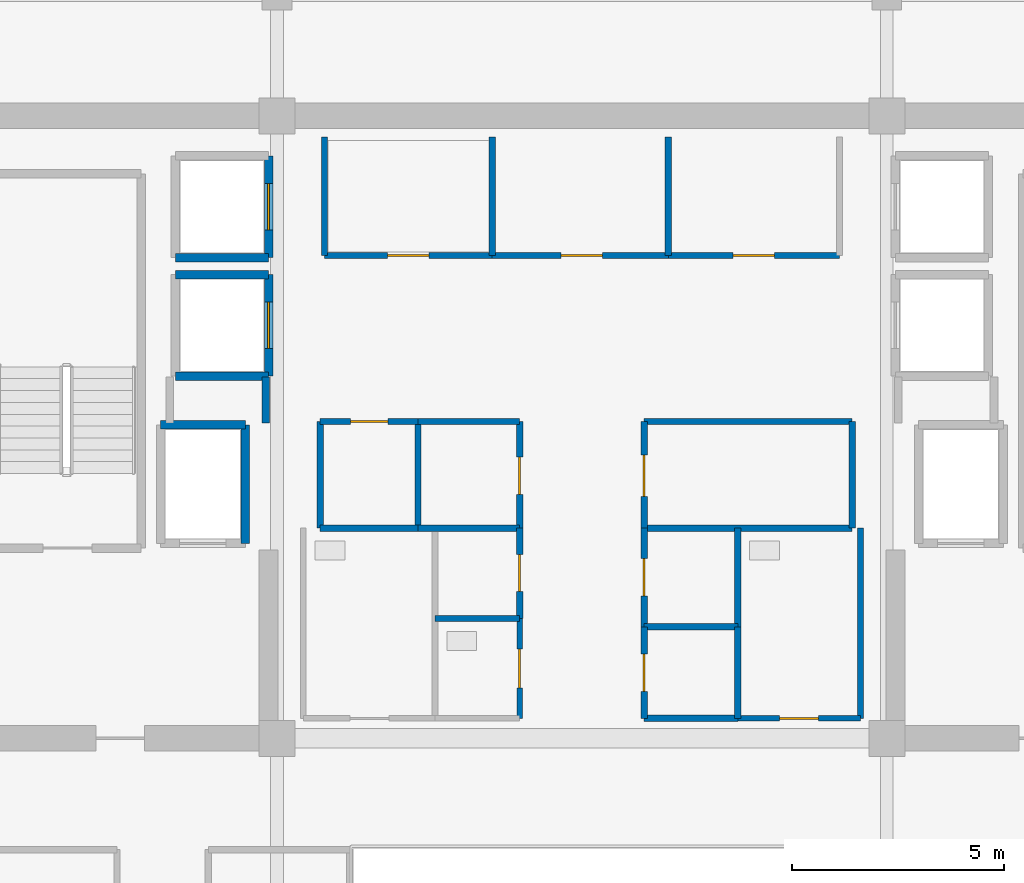
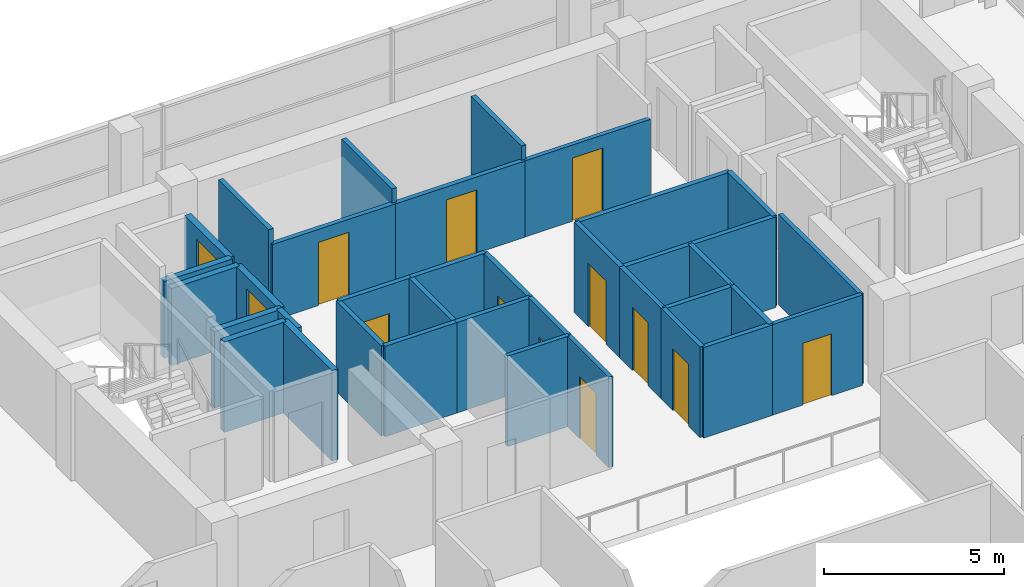
# One storey, part 16 of 22: 36 walls, 13 doors, 13 openings.
"""IFC4 building model written with IfcOpenShell, lengths in metres."""

from ifc_helpers import new_model, si_unit, direction, frame, frame_2d, origin, place, context, subcontext, project, spatial, rectangle, extrude, source, transform, mapped, material, layer, layer_set, type_object, element, fill, save


model = new_model("IFC4")

# Units and contexts
model_context = context("Model", 3, precision=1e-05, world=origin(), true_north=direction((0.0, 1.0)))
body_context = subcontext(model_context, "Body", "Model", "MODEL_VIEW")
ifc_project = project(units=[si_unit("LENGTHUNIT", "METRE"), si_unit("AREAUNIT", "SQUARE_METRE"), si_unit("VOLUMEUNIT", "CUBIC_METRE"), si_unit("PLANEANGLEUNIT", "RADIAN"), si_unit("MASSUNIT", "GRAM", prefix="KILO")], contexts=[model_context])

# Site, building, storey
site_placement = place(None, origin())
site = spatial("IfcSite", under=ifc_project, at=site_placement, CompositionType="ELEMENT")
building_placement = place(site_placement, origin())
building = spatial("IfcBuilding", under=site, at=building_placement, Name="Zarnakvel Exchange Tower", CompositionType="ELEMENT")
storey_placement = place(building_placement, frame((0.0, 0.0, 228.699951171875)))
storey = spatial("IfcBuildingStorey", under=building, at=storey_placement, Name="L64", CompositionType="ELEMENT", Elevation=228.699951171875)

# Wall, opening, door
ifc_material_1 = material(Name="Fire-Rated Gypsum Stud Partition", Category="gypsum")
ifc_layer_1 = layer(ifc_material_1, 0.14990234375)
ifc_layer_set_1 = layer_set([ifc_layer_1], Name="Fire-Rated Gypsum Stud Partition")
wall_type_1 = type_object("IfcWallType", Name="PT-01", PredefinedType="PARTITIONING", material=ifc_layer_set_1)
wall_1_placement = place(storey_placement, frame((-2.1201171875, 10.199951171875, 0.0), z_axis=(0.0, 0.0, 1.0), x_axis=(-1.0, 0.0, 0.0)))
wall_1 = element("IfcWall", 1, at=wall_1_placement, inside=storey, type_object=wall_type_1, Name="L64 Partition Wall PWALL-L64-011 (PT-01)", PredefinedType="PARTITIONING", context=body_context, shape_type="SweptSolid", body=[
    extrude(rectangle(XDim=3.9599609375, YDim=0.14990234375, at=frame_2d((1.97998046875, 0.0))), origin(), (0.0, 0.0, 1.0), 2.590087890625),
])
opening_1_placement = place(wall_1_placement, frame((1.489990234375, 0.0, 0.0)))
opening_1 = element("IfcOpeningElement", 2, at=opening_1_placement, cuts=wall_1, Name="Opening D-L64-05", PredefinedType="OPENING", context=body_context, shape_type="SweptSolid", body=[
    extrude(rectangle(XDim=0.97998046875, YDim=2.14990234375, at=frame_2d((0.489990234375, 1.074951171875))), frame((0.0, 0.0849609375, 0.0), z_axis=(0.0, -1.0, 0.0), x_axis=(1.0, 0.0, 0.0)), (0.0, 0.0, 1.0), 0.169921875),
])
ifc_material_2 = material(Name="Timber Acoustic Veneer", Category="wood")
door_type_1 = type_object("IfcDoorType", Name="DT-05", OperationType="NOTDEFINED", PredefinedType="DOOR", material=ifc_material_2)
shared_shape_1 = source(origin(), body_context, "Body", "SweptSolid", [
    extrude(rectangle(XDim=0.97998046875, YDim=2.14990234375, at=frame_2d((0.489990234375, 1.074951171875))), frame((0.0, 0.02490234375, 0.0), z_axis=(0.0, -1.0, 0.0), x_axis=(1.0, 0.0, 0.0)), (0.0, 0.0, 1.0), 0.050048828125),
])
door_1_placement = place(opening_1_placement, origin())
door_1 = element("IfcDoor", 3, at=door_1_placement, inside=storey, type_object=door_type_1, Name="L64 Clearing Records Office Door D-L64-05", OperationType="SINGLE_SWING_LEFT", OverallHeight=2.14990234375, OverallWidth=0.97998046875, PredefinedType="DOOR", context=body_context, shape_type="MappedRepresentation", body=[
    mapped(shared_shape_1, transform((0.0, 0.0, 0.0), x_axis=(1.0, 0.0, 0.0), y_axis=(0.0, 1.0, 0.0), z_axis=(0.0, 0.0, 1.0), scale=1.0)),
])
fill(opening_1, door_1)

# Walls
for number, where, z_axis, x_axis, name in (
    (4, (-6.080078125, 10.199951171875, 0.0), (0.0, 0.0, 1.0), (0.0, 1.0, 0.0), "L64 Partition Wall PWALL-L64-012 (PT-01)"),
    (5, (-2.1201171875, 13.0, 0.0), (0.0, 0.0, 1.0), (0.0, -1.0, 0.0), "L64 Partition Wall PWALL-L64-013 (PT-01)"),
):
    element("IfcWall", number, at=place(storey_placement, frame(where, z_axis=z_axis, x_axis=x_axis)), inside=storey, type_object=wall_type_1, Name=name, PredefinedType="PARTITIONING", context=body_context, shape_type="SweptSolid", body=[
        extrude(rectangle(XDim=2.800048828125, YDim=0.14990234375, at=frame_2d((1.39990234375, 0.0))), origin(), (0.0, 0.0, 1.0), 3.074951171875),
    ])

# Wall, opening, door
wall_2_placement = place(storey_placement, frame((2.0400390625, 10.199951171875, 0.0), z_axis=(0.0, 0.0, 1.0), x_axis=(-1.0, 0.0, 0.0)))
wall_2 = element("IfcWall", 6, at=wall_2_placement, inside=storey, type_object=wall_type_1, Name="L64 Partition Wall PWALL-L64-014 (PT-01)", PredefinedType="PARTITIONING", context=body_context, shape_type="SweptSolid", body=[
    extrude(rectangle(XDim=4.16015625, YDim=0.14990234375, at=frame_2d((2.080078125, 0.0))), origin(), (0.0, 0.0, 1.0), 2.590087890625),
])
opening_2_placement = place(wall_2_placement, frame((1.550048828125, 0.0, 0.0)))
opening_2 = element("IfcOpeningElement", 7, at=opening_2_placement, cuts=wall_2, Name="Opening D-L64-06", PredefinedType="OPENING", context=body_context, shape_type="SweptSolid", body=[
    extrude(rectangle(XDim=0.97998046875, YDim=2.14990234375, at=frame_2d((0.489990234375, 1.074951171875))), frame((0.0, 0.0849609375, 0.0), z_axis=(0.0, -1.0, 0.0), x_axis=(1.0, 0.0, 0.0)), (0.0, 0.0, 1.0), 0.169921875),
])
door_2_placement = place(opening_2_placement, origin())
door_2 = element("IfcDoor", 8, at=door_2_placement, inside=storey, type_object=door_type_1, Name="L64 Brokerage Filing Room Door D-L64-06", OperationType="SINGLE_SWING_RIGHT", OverallHeight=2.14990234375, OverallWidth=0.97998046875, PredefinedType="DOOR", context=body_context, shape_type="MappedRepresentation", body=[
    mapped(shared_shape_1, transform((0.0, 0.0, 0.0), x_axis=(1.0, 0.0, 0.0), y_axis=(0.0, 1.0, 0.0), z_axis=(0.0, 0.0, 1.0), scale=1.0)),
])
fill(opening_2, door_2)

# Walls
wall_3_placement = place(storey_placement, frame((2.0400390625, 13.0, 0.0), z_axis=(0.0, 0.0, 1.0), x_axis=(0.0, -1.0, 0.0)))
element("IfcWall", 9, at=wall_3_placement, inside=storey, type_object=wall_type_1, Name="L64 Partition Wall PWALL-L64-015 (PT-01)", PredefinedType="PARTITIONING", context=body_context, shape_type="SweptSolid", body=[
    extrude(rectangle(XDim=2.800048828125, YDim=0.14990234375, at=frame_2d((1.39990234375, 0.0))), origin(), (0.0, 0.0, 1.0), 3.074951171875),
])
wall_4_placement = place(storey_placement, frame((-3.8701171875, 3.760009765625, 0.0), z_axis=(0.0, 0.0, 1.0), x_axis=(-1.0, 0.0, 0.0)))
element("IfcWall", 10, at=wall_4_placement, inside=storey, type_object=wall_type_1, Name="L64 Partition Wall PWALL-L64-018 (PT-01)", PredefinedType="PARTITIONING", context=body_context, shape_type="SweptSolid", body=[
    extrude(rectangle(XDim=2.309814453125, YDim=0.14990234375, at=frame_2d((1.15478515625, 0.0))), origin(), (0.0, 0.0, 1.0), 3.074951171875),
])

# Wall, opening, door
wall_5_placement = place(storey_placement, frame((-6.179931640625, 6.280029296875, 0.0), z_axis=(0.0, 0.0, 1.0), x_axis=(1.0, 0.0, 0.0)))
wall_5 = element("IfcWall", 11, at=wall_5_placement, inside=storey, type_object=wall_type_1, Name="L64 Partition Wall PWALL-L64-019 (PT-01)", PredefinedType="PARTITIONING", context=body_context, shape_type="SweptSolid", body=[
    extrude(rectangle(XDim=2.309814453125, YDim=0.14990234375, at=frame_2d((1.15478515625, 0.0))), origin(), (0.0, 0.0, 1.0), 3.074951171875),
])
opening_3_placement = place(wall_5_placement, frame((0.719970703125, 0.0, 0.0)))
opening_3 = element("IfcOpeningElement", 12, at=opening_3_placement, cuts=wall_5, Name="Opening D-L64-08", PredefinedType="OPENING", context=body_context, shape_type="SweptSolid", body=[
    extrude(rectangle(XDim=0.8798828125, YDim=2.10009765625, at=frame_2d((0.43994140625, 1.050048828125))), frame((0.0, 0.0849609375, 0.0), z_axis=(0.0, -1.0, 0.0), x_axis=(1.0, 0.0, 0.0)), (0.0, 0.0, 1.0), 0.169921875),
])
ifc_material_3 = material(Name="Painted Galvanised Steel S355", Category="steel")
door_type_2 = type_object("IfcDoorType", Name="DT-08", OperationType="NOTDEFINED", PredefinedType="DOOR", material=ifc_material_3)
shared_shape_2 = source(origin(), body_context, "Body", "SweptSolid", [
    extrude(rectangle(XDim=0.8798828125, YDim=2.10009765625, at=frame_2d((0.43994140625, 1.050048828125))), frame((0.0, 0.02490234375, 0.0), z_axis=(0.0, -1.0, 0.0), x_axis=(1.0, 0.0, 0.0)), (0.0, 0.0, 1.0), 0.050048828125),
])
door_3_placement = place(opening_3_placement, origin())
door_3 = element("IfcDoor", 13, at=door_3_placement, inside=storey, type_object=door_type_2, Name="L64 Audit Filing Store Door D-L64-08", OperationType="SINGLE_SWING_RIGHT", OverallHeight=2.10009765625, OverallWidth=0.8798828125, PredefinedType="DOOR", context=body_context, shape_type="MappedRepresentation", body=[
    mapped(shared_shape_2, transform((0.0, 0.0, 0.0), x_axis=(1.0, 0.0, 0.0), y_axis=(0.0, 1.0, 0.0), z_axis=(0.0, 0.0, 1.0), scale=1.0)),
])
fill(opening_3, door_3)

# Walls
for number, where, z_axis, x_axis, name in (
    (14, (-6.179931640625, 3.760009765625, 0.0), (0.0, 0.0, 1.0), (0.0, 1.0, 0.0), "L64 Partition Wall PWALL-L64-020 (PT-01)"),
    (15, (-3.8701171875, 6.280029296875, 0.0), (0.0, 0.0, 1.0), (0.0, -1.0, 0.0), "L64 Partition Wall PWALL-L64-021 (PT-01)"),
):
    element("IfcWall", number, at=place(storey_placement, frame(where, z_axis=z_axis, x_axis=x_axis)), inside=storey, type_object=wall_type_1, Name=name, PredefinedType="PARTITIONING", context=body_context, shape_type="SweptSolid", body=[
        extrude(rectangle(XDim=2.52001953125, YDim=0.14990234375, at=frame_2d((1.260009765625, 0.0))), origin(), (0.0, 0.0, 1.0), 3.074951171875),
    ])
for number, where, z_axis, x_axis, name in (
    (16, (-1.469970703125, 3.760009765625, 0.0), (0.0, 0.0, 1.0), (-1.0, 0.0, 0.0), "L64 Partition Wall PWALL-L64-022 (PT-01)"),
    (17, (-3.8701171875, 6.280029296875, 0.0), (0.0, 0.0, 1.0), (1.0, 0.0, 0.0), "L64 Partition Wall PWALL-L64-023 (PT-01)"),
):
    element("IfcWall", number, at=place(storey_placement, frame(where, z_axis=z_axis, x_axis=x_axis)), inside=storey, type_object=wall_type_1, Name=name, PredefinedType="PARTITIONING", context=body_context, shape_type="SweptSolid", body=[
        extrude(rectangle(XDim=2.400146484375, YDim=0.14990234375, at=frame_2d((1.2001953125, 0.0))), origin(), (0.0, 0.0, 1.0), 3.074951171875),
    ])

# Wall, opening, door
wall_6_placement = place(storey_placement, frame((-1.469970703125, 6.280029296875, 0.0), z_axis=(0.0, 0.0, 1.0), x_axis=(0.0, -1.0, 0.0)))
wall_6 = element("IfcWall", 18, at=wall_6_placement, inside=storey, type_object=wall_type_1, Name="L64 Partition Wall PWALL-L64-024 (PT-01)", PredefinedType="PARTITIONING", context=body_context, shape_type="SweptSolid", body=[
    extrude(rectangle(XDim=2.52001953125, YDim=0.14990234375, at=frame_2d((1.260009765625, 0.0))), origin(), (0.0, 0.0, 1.0), 3.074951171875),
])
opening_4_placement = place(wall_6_placement, frame((0.840087890625, 0.0, 0.0)))
opening_4 = element("IfcOpeningElement", 19, at=opening_4_placement, cuts=wall_6, Name="Opening D-L64-09", PredefinedType="OPENING", context=body_context, shape_type="SweptSolid", body=[
    extrude(rectangle(XDim=0.8798828125, YDim=2.10009765625, at=frame_2d((0.43994140625, 1.050048828125))), frame((0.0, 0.0849609375, 0.0), z_axis=(0.0, -1.0, 0.0), x_axis=(1.0, 0.0, 0.0)), (0.0, 0.0, 1.0), 0.169921875),
])
door_4_placement = place(opening_4_placement, origin())
door_4 = element("IfcDoor", 20, at=door_4_placement, inside=storey, type_object=door_type_2, Name="L64 Core Records Store Door D-L64-09", OperationType="SINGLE_SWING_LEFT", OverallHeight=2.10009765625, OverallWidth=0.8798828125, PredefinedType="DOOR", context=body_context, shape_type="MappedRepresentation", body=[
    mapped(shared_shape_2, transform((0.0, 0.0, 0.0), x_axis=(1.0, 0.0, 0.0), y_axis=(0.0, 1.0, 0.0), z_axis=(0.0, 0.0, 1.0), scale=1.0)),
])
fill(opening_4, door_4)

# Walls
for number, where, z_axis, x_axis, name in (
    (21, (6.3798828125, 3.760009765625, 0.0), (0.0, 0.0, 1.0), (-1.0, 0.0, 0.0), "L64 Partition Wall PWALL-L64-025 (PT-01)"),
    (22, (1.469970703125, 6.280029296875, 0.0), (0.0, 0.0, 1.0), (1.0, 0.0, 0.0), "L64 Partition Wall PWALL-L64-026 (PT-01)"),
):
    element("IfcWall", number, at=place(storey_placement, frame(where, z_axis=z_axis, x_axis=x_axis)), inside=storey, type_object=wall_type_1, Name=name, PredefinedType="PARTITIONING", context=body_context, shape_type="SweptSolid", body=[
        extrude(rectangle(XDim=4.909912109375, YDim=0.14990234375, at=frame_2d((2.455078125, 0.0))), origin(), (0.0, 0.0, 1.0), 3.074951171875),
    ])

# Wall, opening, door
wall_7_placement = place(storey_placement, frame((1.469970703125, 3.760009765625, 0.0), z_axis=(0.0, 0.0, 1.0), x_axis=(0.0, 1.0, 0.0)))
wall_7 = element("IfcWall", 23, at=wall_7_placement, inside=storey, type_object=wall_type_1, Name="L64 Partition Wall PWALL-L64-027 (PT-01)", PredefinedType="PARTITIONING", context=body_context, shape_type="SweptSolid", body=[
    extrude(rectangle(XDim=2.52001953125, YDim=0.14990234375, at=frame_2d((1.260009765625, 0.0))), origin(), (0.0, 0.0, 1.0), 3.074951171875),
])
opening_5_placement = place(wall_7_placement, frame((0.75, 0.0, 0.0)))
opening_5 = element("IfcOpeningElement", 24, at=opening_5_placement, cuts=wall_7, Name="Opening D-L64-10", PredefinedType="OPENING", context=body_context, shape_type="SweptSolid", body=[
    extrude(rectangle(XDim=0.97998046875, YDim=2.14990234375, at=frame_2d((0.489990234375, 1.074951171875))), frame((0.0, 0.0849609375, 0.0), z_axis=(0.0, -1.0, 0.0), x_axis=(1.0, 0.0, 0.0)), (0.0, 0.0, 1.0), 0.169921875),
])
door_5_placement = place(opening_5_placement, origin())
door_5 = element("IfcDoor", 25, at=door_5_placement, inside=storey, type_object=door_type_1, Name="L64 Telemetry Server Suite Door D-L64-10", OperationType="SINGLE_SWING_RIGHT", OverallHeight=2.14990234375, OverallWidth=0.97998046875, PredefinedType="DOOR", context=body_context, shape_type="MappedRepresentation", body=[
    mapped(shared_shape_1, transform((0.0, 0.0, 0.0), x_axis=(1.0, 0.0, 0.0), y_axis=(0.0, 1.0, 0.0), z_axis=(0.0, 0.0, 1.0), scale=1.0)),
])
fill(opening_5, door_5)

# Wall
wall_8_placement = place(storey_placement, frame((6.3798828125, 6.280029296875, 0.0), z_axis=(0.0, 0.0, 1.0), x_axis=(0.0, -1.0, 0.0)))
element("IfcWall", 26, at=wall_8_placement, inside=storey, type_object=wall_type_1, Name="L64 Partition Wall PWALL-L64-028 (PT-01)", PredefinedType="PARTITIONING", context=body_context, shape_type="SweptSolid", body=[
    extrude(rectangle(XDim=2.52001953125, YDim=0.14990234375, at=frame_2d((1.260009765625, 0.0))), origin(), (0.0, 0.0, 1.0), 3.074951171875),
])

# Wall, opening, door
wall_9_placement = place(storey_placement, frame((-1.469970703125, 3.760009765625, 0.0), z_axis=(0.0, 0.0, 1.0), x_axis=(0.0, -1.0, 0.0)))
wall_9 = element("IfcWall", 27, at=wall_9_placement, inside=storey, type_object=wall_type_1, Name="L64 Partition Wall PWALL-L64-035 (PT-01)", PredefinedType="PARTITIONING", context=body_context, shape_type="SweptSolid", body=[
    extrude(rectangle(XDim=2.130126953125, YDim=0.14990234375, at=frame_2d((1.06494140625, 0.0))), origin(), (0.0, 0.0, 1.0), 3.074951171875),
])
opening_6_placement = place(wall_9_placement, frame((0.6201171875, 0.0, 0.0)))
opening_6 = element("IfcOpeningElement", 28, at=opening_6_placement, cuts=wall_9, Name="Opening D-L64-13", PredefinedType="OPENING", context=body_context, shape_type="SweptSolid", body=[
    extrude(rectangle(XDim=0.8798828125, YDim=2.10009765625, at=frame_2d((0.43994140625, 1.050048828125))), frame((0.0, 0.0849609375, 0.0), z_axis=(0.0, -1.0, 0.0), x_axis=(1.0, 0.0, 0.0)), (0.0, 0.0, 1.0), 0.169921875),
])
door_6_placement = place(opening_6_placement, origin())
door_6 = element("IfcDoor", 29, at=door_6_placement, inside=storey, type_object=door_type_2, Name="L64 Core Comms Room Door D-L64-13", OperationType="SINGLE_SWING_LEFT", OverallHeight=2.10009765625, OverallWidth=0.8798828125, PredefinedType="DOOR", context=body_context, shape_type="MappedRepresentation", body=[
    mapped(shared_shape_2, transform((0.0, 0.0, 0.0), x_axis=(1.0, 0.0, 0.0), y_axis=(0.0, 1.0, 0.0), z_axis=(0.0, 0.0, 1.0), scale=1.0)),
])
fill(opening_6, door_6)

# Walls
for number, where, z_axis, x_axis, name in (
    (30, (3.679931640625, -0.72998046875, 0.0), (0.0, 0.0, 1.0), (-1.0, 0.0, 0.0), "L64 Partition Wall PWALL-L64-036 (PT-01)"),
    (31, (1.469970703125, 1.429931640625, 0.0), (0.0, 0.0, 1.0), (1.0, 0.0, 0.0), "L64 Partition Wall PWALL-L64-037 (PT-01)"),
):
    element("IfcWall", number, at=place(storey_placement, frame(where, z_axis=z_axis, x_axis=x_axis)), inside=storey, type_object=wall_type_1, Name=name, PredefinedType="PARTITIONING", context=body_context, shape_type="SweptSolid", body=[
        extrude(rectangle(XDim=2.2099609375, YDim=0.14990234375, at=frame_2d((1.10498046875, 0.0))), origin(), (0.0, 0.0, 1.0), 3.074951171875),
    ])

# Wall, opening, door
wall_10_placement = place(storey_placement, frame((1.469970703125, -0.72998046875, 0.0), z_axis=(0.0, 0.0, 1.0), x_axis=(0.0, 1.0, 0.0)))
wall_10 = element("IfcWall", 32, at=wall_10_placement, inside=storey, type_object=wall_type_1, Name="L64 Partition Wall PWALL-L64-038 (PT-01)", PredefinedType="PARTITIONING", context=body_context, shape_type="SweptSolid", body=[
    extrude(rectangle(XDim=2.159912109375, YDim=0.14990234375, at=frame_2d((1.080078125, 0.0))), origin(), (0.0, 0.0, 1.0), 3.074951171875),
])
opening_7_placement = place(wall_10_placement, frame((0.639892578125, 0.0, 0.0)))
opening_7 = element("IfcOpeningElement", 33, at=opening_7_placement, cuts=wall_10, Name="Opening D-L64-14", PredefinedType="OPENING", context=body_context, shape_type="SweptSolid", body=[
    extrude(rectangle(XDim=0.8798828125, YDim=2.10009765625, at=frame_2d((0.43994140625, 1.050048828125))), frame((0.0, 0.0849609375, 0.0), z_axis=(0.0, -1.0, 0.0), x_axis=(1.0, 0.0, 0.0)), (0.0, 0.0, 1.0), 0.169921875),
])
door_7_placement = place(opening_7_placement, origin())
door_7 = element("IfcDoor", 34, at=door_7_placement, inside=storey, type_object=door_type_2, Name="L64 Janitor Store Door D-L64-14", OperationType="SINGLE_SWING_RIGHT", OverallHeight=2.10009765625, OverallWidth=0.8798828125, PredefinedType="DOOR", context=body_context, shape_type="MappedRepresentation", body=[
    mapped(shared_shape_2, transform((0.0, 0.0, 0.0), x_axis=(1.0, 0.0, 0.0), y_axis=(0.0, 1.0, 0.0), z_axis=(0.0, 0.0, 1.0), scale=1.0)),
])
fill(opening_7, door_7)

# Wall
wall_11_placement = place(storey_placement, frame((3.679931640625, 1.429931640625, 0.0), z_axis=(0.0, 0.0, 1.0), x_axis=(0.0, -1.0, 0.0)))
element("IfcWall", 35, at=wall_11_placement, inside=storey, type_object=wall_type_1, Name="L64 Partition Wall PWALL-L64-039 (PT-01)", PredefinedType="PARTITIONING", context=body_context, shape_type="SweptSolid", body=[
    extrude(rectangle(XDim=2.159912109375, YDim=0.14990234375, at=frame_2d((1.080078125, 0.0))), origin(), (0.0, 0.0, 1.0), 3.074951171875),
])

# Wall, opening, door
wall_12_placement = place(storey_placement, frame((1.469970703125, 1.429931640625, 0.0), z_axis=(0.0, 0.0, 1.0), x_axis=(0.0, 1.0, 0.0)))
wall_12 = element("IfcWall", 36, at=wall_12_placement, inside=storey, type_object=wall_type_1, Name="L64 Partition Wall PWALL-L64-040 (PT-01)", PredefinedType="PARTITIONING", context=body_context, shape_type="SweptSolid", body=[
    extrude(rectangle(XDim=2.330078125, YDim=0.14990234375, at=frame_2d((1.1650390625, 0.0))), origin(), (0.0, 0.0, 1.0), 3.074951171875),
])
opening_8_placement = place(wall_12_placement, frame((0.72998046875, 0.0, 0.0)))
opening_8 = element("IfcOpeningElement", 37, at=opening_8_placement, cuts=wall_12, Name="Opening D-L64-15", PredefinedType="OPENING", context=body_context, shape_type="SweptSolid", body=[
    extrude(rectangle(XDim=0.8798828125, YDim=2.14990234375, at=frame_2d((0.43994140625, 1.074951171875))), frame((0.0, 0.0849609375, 0.0), z_axis=(0.0, -1.0, 0.0), x_axis=(1.0, 0.0, 0.0)), (0.0, 0.0, 1.0), 0.169921875),
])
shared_shape_3 = source(origin(), body_context, "Body", "SweptSolid", [
    extrude(rectangle(XDim=0.8798828125, YDim=2.14990234375, at=frame_2d((0.43994140625, 1.074951171875))), frame((0.0, 0.02490234375, 0.0), z_axis=(0.0, -1.0, 0.0), x_axis=(1.0, 0.0, 0.0)), (0.0, 0.0, 1.0), 0.050048828125),
])
door_8_placement = place(opening_8_placement, origin())
door_8 = element("IfcDoor", 38, at=door_8_placement, inside=storey, type_object=door_type_1, Name="L64 Stationery Store Door D-L64-15", OperationType="SINGLE_SWING_LEFT", OverallHeight=2.14990234375, OverallWidth=0.8798828125, PredefinedType="DOOR", context=body_context, shape_type="MappedRepresentation", body=[
    mapped(shared_shape_3, transform((0.0, 0.0, 0.0), x_axis=(1.0, 0.0, 0.0), y_axis=(0.0, 1.0, 0.0), z_axis=(0.0, 0.0, 1.0), scale=1.0)),
])
fill(opening_8, door_8)

# Walls
wall_13_placement = place(storey_placement, frame((3.679931640625, 3.760009765625, 0.0), z_axis=(0.0, 0.0, 1.0), x_axis=(0.0, -1.0, 0.0)))
element("IfcWall", 39, at=wall_13_placement, inside=storey, type_object=wall_type_1, Name="L64 Partition Wall PWALL-L64-041 (PT-01)", PredefinedType="PARTITIONING", context=body_context, shape_type="SweptSolid", body=[
    extrude(rectangle(XDim=2.330078125, YDim=0.14990234375, at=frame_2d((1.1650390625, 0.0))), origin(), (0.0, 0.0, 1.0), 3.074951171875),
])
ifc_layer_2 = layer(ifc_material_1, 0.179931640625)
ifc_layer_set_2 = layer_set([ifc_layer_2], Name="Fire-Rated Gypsum Stud Partition")
wall_type_2 = type_object("IfcWallType", Name="PT-02", PredefinedType="PARTITIONING", material=ifc_layer_set_2)
wall_14_placement = place(storey_placement, frame((-7.469970703125, 7.330078125, 0.0), z_axis=(0.0, 0.0, 1.0), x_axis=(0.0, -1.0, 0.0)))
element("IfcWall", 40, at=wall_14_placement, inside=storey, type_object=wall_type_2, Name="L64 Partition Wall PWALL-L64-008 (PT-02)", PredefinedType="PARTITIONING", context=body_context, shape_type="SweptSolid", body=[
    extrude(rectangle(XDim=1.090087890625, YDim=0.179931640625, at=frame_2d((0.544921875, 0.0))), origin(), (0.0, 0.0, 1.0), 2.614990234375),
])

# Wall, opening, door
ifc_material_4 = material(Name="Moisture-Resistant Tile-Faced Partition", Category="gypsum")
ifc_layer_3 = layer(ifc_material_4, 0.135009765625)
ifc_layer_set_3 = layer_set([ifc_layer_3], Name="Moisture-Resistant Tile-Faced Partition")
wall_type_3 = type_object("IfcWallType", Name="PT-03", PredefinedType="PARTITIONING", material=ifc_layer_set_3)
wall_15_placement = place(storey_placement, frame((6.080078125, 10.199951171875, 0.0), z_axis=(0.0, 0.0, 1.0), x_axis=(-1.0, 0.0, 0.0)))
wall_15 = element("IfcWall", 41, at=wall_15_placement, inside=storey, type_object=wall_type_3, Name="L64 Partition Wall PWALL-L64-016 (PT-03)", PredefinedType="PARTITIONING", context=body_context, shape_type="SweptSolid", body=[
    extrude(rectangle(XDim=4.0400390625, YDim=0.135009765625, at=frame_2d((2.02001953125, 0.0))), origin(), (0.0, 0.0, 1.0), 2.590087890625),
])
opening_9_placement = place(wall_15_placement, frame((1.530029296875, 0.0, 0.0)))
opening_9 = element("IfcOpeningElement", 42, at=opening_9_placement, cuts=wall_15, Name="Opening D-L64-07", PredefinedType="OPENING", context=body_context, shape_type="SweptSolid", body=[
    extrude(rectangle(XDim=0.97998046875, YDim=2.14990234375, at=frame_2d((0.489990234375, 1.074951171875))), frame((0.0, 0.077392578125, 0.0), z_axis=(0.0, -1.0, 0.0), x_axis=(1.0, 0.0, 0.0)), (0.0, 0.0, 1.0), 0.155029296875),
])
door_9_placement = place(opening_9_placement, origin())
door_9 = element("IfcDoor", 43, at=door_9_placement, inside=storey, type_object=door_type_1, Name="L64 Executive Tea Pantry Door D-L64-07", OperationType="SINGLE_SWING_LEFT", OverallHeight=2.14990234375, OverallWidth=0.97998046875, PredefinedType="DOOR", context=body_context, shape_type="MappedRepresentation", body=[
    mapped(shared_shape_1, transform((0.0, 0.0, 0.0), x_axis=(1.0, 0.0, 0.0), y_axis=(0.0, 1.0, 0.0), z_axis=(0.0, 0.0, 1.0), scale=1.0)),
])
fill(opening_9, door_9)

# Wall
wall_16_placement = place(storey_placement, frame((-3.469970703125, 1.6298828125, 0.0), z_axis=(0.0, 0.0, 1.0), x_axis=(1.0, 0.0, 0.0)))
element("IfcWall", 44, at=wall_16_placement, inside=storey, type_object=wall_type_3, Name="L64 Partition Wall PWALL-L64-033 (PT-03)", PredefinedType="PARTITIONING", context=body_context, shape_type="SweptSolid", body=[
    extrude(rectangle(XDim=2.0, YDim=0.135009765625, at=frame_2d((1.0, 0.0))), origin(), (0.0, 0.0, 1.0), 3.074951171875),
])

# Wall, opening, door
wall_17_placement = place(storey_placement, frame((-1.469970703125, 1.6298828125, 0.0), z_axis=(0.0, 0.0, 1.0), x_axis=(0.0, -1.0, 0.0)))
wall_17 = element("IfcWall", 45, at=wall_17_placement, inside=storey, type_object=wall_type_3, Name="L64 Partition Wall PWALL-L64-034 (PT-03)", PredefinedType="PARTITIONING", context=body_context, shape_type="SweptSolid", body=[
    extrude(rectangle(XDim=2.35986328125, YDim=0.135009765625, at=frame_2d((1.179931640625, 0.0))), origin(), (0.0, 0.0, 1.0), 3.074951171875),
])
opening_10_placement = place(wall_17_placement, frame((0.719970703125, 0.0, 0.0)))
opening_10 = element("IfcOpeningElement", 46, at=opening_10_placement, cuts=wall_17, Name="Opening D-L64-12", PredefinedType="OPENING", context=body_context, shape_type="SweptSolid", body=[
    extrude(rectangle(XDim=0.919921875, YDim=2.10009765625, at=frame_2d((0.4599609375, 1.050048828125))), frame((0.0, 0.077392578125, 0.0), z_axis=(0.0, -1.0, 0.0), x_axis=(1.0, 0.0, 0.0)), (0.0, 0.0, 1.0), 0.155029296875),
])
ifc_material_5 = material(Name="Moisture-Resistant Laminate Timber", Category="wood")
door_type_3 = type_object("IfcDoorType", Name="DT-07", OperationType="NOTDEFINED", PredefinedType="DOOR", material=ifc_material_5)
shared_shape_4 = source(origin(), body_context, "Body", "SweptSolid", [
    extrude(rectangle(XDim=0.919921875, YDim=2.10009765625, at=frame_2d((0.4599609375, 1.050048828125))), frame((0.0, 0.02490234375, 0.0), z_axis=(0.0, -1.0, 0.0), x_axis=(1.0, 0.0, 0.0)), (0.0, 0.0, 1.0), 0.050048828125),
])
door_10_placement = place(opening_10_placement, origin())
door_10 = element("IfcDoor", 47, at=door_10_placement, inside=storey, type_object=door_type_3, Name="L64 Accessible Toilet Door D-L64-12", OperationType="SINGLE_SWING_RIGHT", OverallHeight=2.10009765625, OverallWidth=0.919921875, PredefinedType="DOOR", context=body_context, shape_type="MappedRepresentation", body=[
    mapped(shared_shape_4, transform((0.0, 0.0, 0.0), x_axis=(1.0, 0.0, 0.0), y_axis=(0.0, 1.0, 0.0), z_axis=(0.0, 0.0, 1.0), scale=1.0)),
])
fill(opening_10, door_10)

wall_18_placement = place(storey_placement, frame((6.580078125, -0.72998046875, 0.0), z_axis=(0.0, 0.0, 1.0), x_axis=(-1.0, 0.0, 0.0)))
wall_18 = element("IfcWall", 48, at=wall_18_placement, inside=storey, type_object=wall_type_3, Name="L64 Partition Wall PWALL-L64-042 (PT-03)", PredefinedType="PARTITIONING", context=body_context, shape_type="SweptSolid", body=[
    extrude(rectangle(XDim=2.900146484375, YDim=0.135009765625, at=frame_2d((1.4501953125, 0.0))), origin(), (0.0, 0.0, 1.0), 3.074951171875),
])
opening_11_placement = place(wall_18_placement, frame((0.989990234375, 0.0, 0.0)))
opening_11 = element("IfcOpeningElement", 49, at=opening_11_placement, cuts=wall_18, Name="Opening D-L64-16", PredefinedType="OPENING", context=body_context, shape_type="SweptSolid", body=[
    extrude(rectangle(XDim=0.919921875, YDim=2.10009765625, at=frame_2d((0.4599609375, 1.050048828125))), frame((0.0, 0.077392578125, 0.0), z_axis=(0.0, -1.0, 0.0), x_axis=(1.0, 0.0, 0.0)), (0.0, 0.0, 1.0), 0.155029296875),
])
door_11_placement = place(opening_11_placement, origin())
door_11 = element("IfcDoor", 50, at=door_11_placement, inside=storey, type_object=door_type_3, Name="L64 Female Toilet Door D-L64-16", OperationType="SINGLE_SWING_RIGHT", OverallHeight=2.10009765625, OverallWidth=0.919921875, PredefinedType="DOOR", context=body_context, shape_type="MappedRepresentation", body=[
    mapped(shared_shape_4, transform((0.0, 0.0, 0.0), x_axis=(1.0, 0.0, 0.0), y_axis=(0.0, 1.0, 0.0), z_axis=(0.0, 0.0, 1.0), scale=1.0)),
])
fill(opening_11, door_11)

# Walls
wall_19_placement = place(storey_placement, frame((6.580078125, 3.760009765625, 0.0), z_axis=(0.0, 0.0, 1.0), x_axis=(0.0, -1.0, 0.0)))
element("IfcWall", 51, at=wall_19_placement, inside=storey, type_object=wall_type_3, Name="L64 Partition Wall PWALL-L64-043 (PT-03)", PredefinedType="PARTITIONING", context=body_context, shape_type="SweptSolid", body=[
    extrude(rectangle(XDim=4.489990234375, YDim=0.135009765625, at=frame_2d((2.2451171875, 0.0))), origin(), (0.0, 0.0, 1.0), 3.074951171875),
])
ifc_material_6 = material(Name="Concrete C40/50", Category="concrete")
ifc_layer_4 = layer(ifc_material_6, 0.199951171875)
ifc_layer_set_4 = layer_set([ifc_layer_4], Name="Concrete C40/50")
wall_type_4 = type_object("IfcWallType", Name="SW-01", PredefinedType="SOLIDWALL", material=ifc_layer_set_4)
wall_20_placement = place(storey_placement, frame((-9.949951171875, 6.199951171875, 0.0), z_axis=(0.0, 0.0, 1.0), x_axis=(1.0, 0.0, 0.0)))
element("IfcWall", 52, at=wall_20_placement, inside=storey, type_object=wall_type_4, Name="L64 FL-01 Hoistway Wall North", PredefinedType="SOLIDWALL", context=body_context, shape_type="SweptSolid", body=[
    extrude(rectangle(XDim=2.0, YDim=0.199951171875, at=frame_2d((1.0, 0.0))), origin(), (0.0, 0.0, 1.0), 3.074951171875),
])
wall_21_placement = place(storey_placement, frame((-7.949951171875, 6.199951171875, 0.0), z_axis=(0.0, 0.0, 1.0), x_axis=(0.0, -1.0, 0.0)))
element("IfcWall", 53, at=wall_21_placement, inside=storey, type_object=wall_type_4, Name="L64 FL-01 Hoistway Wall East", PredefinedType="SOLIDWALL", context=body_context, shape_type="SweptSolid", body=[
    extrude(rectangle(XDim=2.800048828125, YDim=0.199951171875, at=frame_2d((1.39990234375, 0.0))), origin(), (0.0, 0.0, 1.0), 3.074951171875),
])
for number, where, z_axis, x_axis, name in (
    (54, (-7.39990234375, 7.35009765625, 0.0), (0.0, 0.0, 1.0), (-1.0, 0.0, 0.0), "L64 PL-09 Hoistway Wall South"),
    (55, (-9.60009765625, 9.75, 0.0), (0.0, 0.0, 1.0), (1.0, 0.0, 0.0), "L64 PL-09 Hoistway Wall North"),
):
    element("IfcWall", number, at=place(storey_placement, frame(where, z_axis=z_axis, x_axis=x_axis)), inside=storey, type_object=wall_type_4, Name=name, PredefinedType="SOLIDWALL", context=body_context, shape_type="SweptSolid", body=[
        extrude(rectangle(XDim=2.2001953125, YDim=0.199951171875, at=frame_2d((1.10009765625, 0.0))), origin(), (0.0, 0.0, 1.0), 2.614990234375),
    ])

# Wall, opening, door
wall_22_placement = place(storey_placement, frame((-7.39990234375, 9.75, 0.0), z_axis=(0.0, 0.0, 1.0), x_axis=(0.0, -1.0, 0.0)))
wall_22 = element("IfcWall", 56, at=wall_22_placement, inside=storey, type_object=wall_type_4, Name="L64 PL-09 Hoistway Wall East", PredefinedType="SOLIDWALL", context=body_context, shape_type="SweptSolid", body=[
    extrude(rectangle(XDim=2.39990234375, YDim=0.199951171875, at=frame_2d((1.199951171875, 0.0))), origin(), (0.0, 0.0, 1.0), 2.614990234375),
])
opening_12_placement = place(wall_22_placement, frame((0.64990234375, 0.0, 0.0)))
opening_12 = element("IfcOpeningElement", 57, at=opening_12_placement, cuts=wall_22, Name="Opening LD-PL-09-L64", PredefinedType="OPENING", context=body_context, shape_type="SweptSolid", body=[
    extrude(rectangle(XDim=1.10009765625, YDim=2.199951171875, at=frame_2d((0.550048828125, 1.10009765625))), frame((0.0, 0.10986328125, 0.0), z_axis=(0.0, -1.0, 0.0), x_axis=(1.0, 0.0, 0.0)), (0.0, 0.0, 1.0), 0.219970703125),
])
ifc_material_7 = material(Name="Architectural Bronze Anodised Aluminium", Category="aluminium")
door_type_4 = type_object("IfcDoorType", Name="LDT-02", OperationType="NOTDEFINED", PredefinedType="DOOR", material=ifc_material_7)
shared_shape_5 = source(origin(), body_context, "Body", "SweptSolid", [
    extrude(rectangle(XDim=1.10009765625, YDim=2.199951171875, at=frame_2d((0.550048828125, 1.10009765625))), frame((0.0, 0.02490234375, 0.0), z_axis=(0.0, -1.0, 0.0), x_axis=(1.0, 0.0, 0.0)), (0.0, 0.0, 1.0), 0.050048828125),
])
door_12_placement = place(opening_12_placement, origin())
door_12 = element("IfcDoor", 58, at=door_12_placement, inside=storey, type_object=door_type_4, Name="L64 PL-09 Lift Landing Door LD-PL-09-L64", OperationType="DOUBLE_DOOR_SLIDING", OverallHeight=2.199951171875, OverallWidth=1.10009765625, PredefinedType="DOOR", context=body_context, shape_type="MappedRepresentation", body=[
    mapped(shared_shape_5, transform((0.0, 0.0, 0.0), x_axis=(1.0, 0.0, 0.0), y_axis=(0.0, 1.0, 0.0), z_axis=(0.0, 0.0, 1.0), scale=1.0)),
])
fill(opening_12, door_12)

# Wall
wall_23_placement = place(storey_placement, frame((-7.39990234375, 10.14990234375, 0.0), z_axis=(0.0, 0.0, 1.0), x_axis=(-1.0, 0.0, 0.0)))
element("IfcWall", 59, at=wall_23_placement, inside=storey, type_object=wall_type_4, Name="L64 PL-10 Hoistway Wall South", PredefinedType="SOLIDWALL", context=body_context, shape_type="SweptSolid", body=[
    extrude(rectangle(XDim=2.2001953125, YDim=0.199951171875, at=frame_2d((1.10009765625, 0.0))), origin(), (0.0, 0.0, 1.0), 2.614990234375),
])

# Wall, opening, door
wall_24_placement = place(storey_placement, frame((-7.39990234375, 12.550048828125, 0.0), z_axis=(0.0, 0.0, 1.0), x_axis=(0.0, -1.0, 0.0)))
wall_24 = element("IfcWall", 60, at=wall_24_placement, inside=storey, type_object=wall_type_4, Name="L64 PL-10 Hoistway Wall East", PredefinedType="SOLIDWALL", context=body_context, shape_type="SweptSolid", body=[
    extrude(rectangle(XDim=2.400146484375, YDim=0.199951171875, at=frame_2d((1.2001953125, 0.0))), origin(), (0.0, 0.0, 1.0), 2.614990234375),
])
opening_13_placement = place(wall_24_placement, frame((0.64990234375, 0.0, 0.0)))
opening_13 = element("IfcOpeningElement", 61, at=opening_13_placement, cuts=wall_24, Name="Opening LD-PL-10-L64", PredefinedType="OPENING", context=body_context, shape_type="SweptSolid", body=[
    extrude(rectangle(XDim=1.10009765625, YDim=2.199951171875, at=frame_2d((0.550048828125, 1.10009765625))), frame((0.0, 0.10986328125, 0.0), z_axis=(0.0, -1.0, 0.0), x_axis=(1.0, 0.0, 0.0)), (0.0, 0.0, 1.0), 0.219970703125),
])
door_13_placement = place(opening_13_placement, origin())
door_13 = element("IfcDoor", 62, at=door_13_placement, inside=storey, type_object=door_type_4, Name="L64 PL-10 Lift Landing Door LD-PL-10-L64", OperationType="DOUBLE_DOOR_SLIDING", OverallHeight=2.199951171875, OverallWidth=1.10009765625, PredefinedType="DOOR", context=body_context, shape_type="MappedRepresentation", body=[
    mapped(shared_shape_5, transform((0.0, 0.0, 0.0), x_axis=(1.0, 0.0, 0.0), y_axis=(0.0, 1.0, 0.0), z_axis=(0.0, 0.0, 1.0), scale=1.0)),
])
fill(opening_13, door_13)

save(model, "model.ifc")
